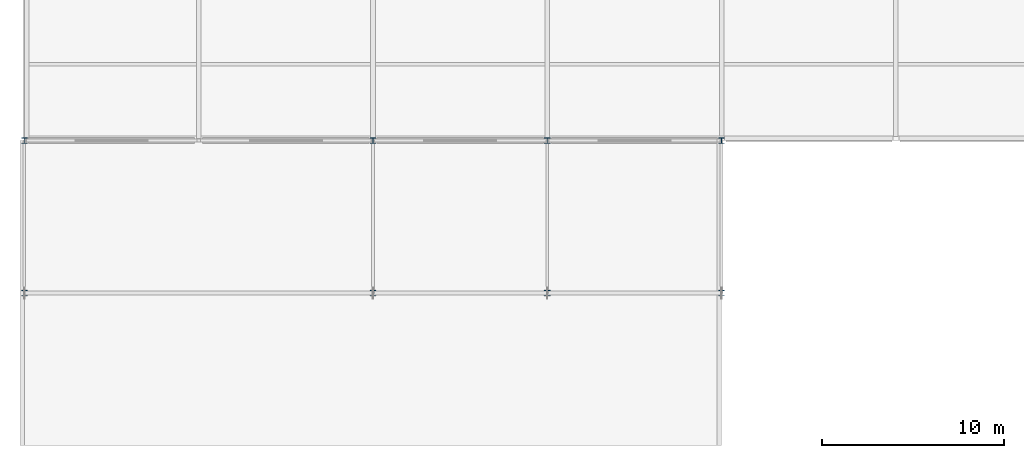
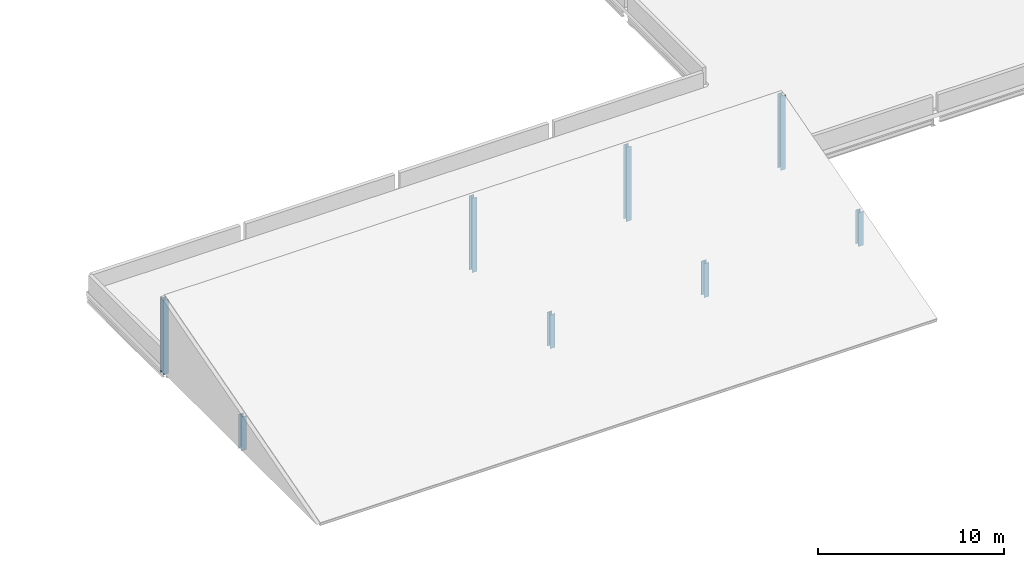
# One storey, part 1 of 52: 8 columns.
"""IFC4 building model written with IfcOpenShell, lengths in metres."""

from ifc_helpers import new_model, si_unit, direction, frame, origin, origin_2d, place, context, subcontext, project, spatial, i_section, extrude, material, material_profile, profile_set, type_object, element, save


model = new_model("IFC4")

# Units and contexts
model_context = context("Model", 3, precision=1e-05, world=origin(), true_north=direction((0.0, 1.0)))
body_context = subcontext(model_context, "Body", "Model", "MODEL_VIEW")
ifc_project = project(units=[si_unit("LENGTHUNIT", "METRE"), si_unit("AREAUNIT", "SQUARE_METRE"), si_unit("VOLUMEUNIT", "CUBIC_METRE"), si_unit("PLANEANGLEUNIT", "RADIAN"), si_unit("MASSUNIT", "GRAM", prefix="KILO")], contexts=[model_context])

# Site, building, storey
site_placement = place(None, origin())
site = spatial("IfcSite", under=ifc_project, at=site_placement, CompositionType="ELEMENT")
building_placement = place(site_placement, origin())
building = spatial("IfcBuilding", under=site, at=building_placement, Name="Lornevale Opera House", CompositionType="ELEMENT")
storey_placement = place(building_placement, frame((0.0, 0.0, 15.0)))
storey = spatial("IfcBuildingStorey", under=building, at=storey_placement, Name="L04", CompositionType="ELEMENT", Elevation=15.0)

# Columns
ifc_material = material(Name="Structural Steel CSA G40.21 Grade 350W (350 MPa)", Category="steel")
ifc_material_profile = material_profile(ifc_material, i_section(OverallWidth=0.30908203125, OverallDepth=0.322998046875, WebThickness=0.013916015625, FlangeThickness=0.02294921875, at=origin_2d()), Name="W310x143")
ifc_profile_set = profile_set([ifc_material_profile], Name="Structural Steel CSA G40.21 Grade 350W (350 MPa)")
column_type = type_object("IfcColumnType", Name="Steel Clerestory Post W310x143", PredefinedType="COLUMN", material=ifc_profile_set)
column_1_placement = place(storey_placement, frame((0.0, 8.39990234375, -0.179931640625), z_axis=(0.0, 0.0, 1.0), x_axis=(1.0, 0.0, 0.0)))
element("IfcColumn", 1, at=column_1_placement, inside=storey, type_object=column_type, Name="Studio Clerestory Post 1150", PredefinedType="COLUMN", context=body_context, shape_type="SweptSolid", body=[
    extrude(i_section(OverallWidth=0.30908203125, OverallDepth=0.322998046875, WebThickness=0.013916015625, FlangeThickness=0.02294921875, at=origin_2d()), origin(), (0.0, 0.0, 1.0), 2.22998046875),
])
column_2_placement = place(storey_placement, frame((0.0, 16.800048828125, -0.27001953125), z_axis=(0.0, 0.0, 1.0), x_axis=(1.0, 0.0, 0.0)))
element("IfcColumn", 2, at=column_2_placement, inside=storey, type_object=column_type, Name="Studio Clerestory Post 1151", PredefinedType="COLUMN", context=body_context, shape_type="SweptSolid", body=[
    extrude(i_section(OverallWidth=0.30908203125, OverallDepth=0.322998046875, WebThickness=0.013916015625, FlangeThickness=0.02294921875, at=origin_2d()), origin(), (0.0, 0.0, 1.0), 4.88720703125),
])
column_3_placement = place(storey_placement, frame((19.199951171875, 8.39990234375, -0.179931640625), z_axis=(0.0, 0.0, 1.0), x_axis=(1.0, 0.0, 0.0)))
element("IfcColumn", 3, at=column_3_placement, inside=storey, type_object=column_type, Name="Studio Clerestory Post 1154", PredefinedType="COLUMN", context=body_context, shape_type="SweptSolid", body=[
    extrude(i_section(OverallWidth=0.30908203125, OverallDepth=0.322998046875, WebThickness=0.013916015625, FlangeThickness=0.02294921875, at=origin_2d()), origin(), (0.0, 0.0, 1.0), 2.22998046875),
])
column_4_placement = place(storey_placement, frame((19.199951171875, 16.800048828125, -0.27001953125), z_axis=(0.0, 0.0, 1.0), x_axis=(1.0, 0.0, 0.0)))
element("IfcColumn", 4, at=column_4_placement, inside=storey, type_object=column_type, Name="Studio Clerestory Post 1155", PredefinedType="COLUMN", context=body_context, shape_type="SweptSolid", body=[
    extrude(i_section(OverallWidth=0.30908203125, OverallDepth=0.322998046875, WebThickness=0.013916015625, FlangeThickness=0.02294921875, at=origin_2d()), origin(), (0.0, 0.0, 1.0), 4.88720703125),
])
column_5_placement = place(storey_placement, frame((28.800048828125, 8.39990234375, -0.179931640625), z_axis=(0.0, 0.0, 1.0), x_axis=(1.0, 0.0, 0.0)))
element("IfcColumn", 5, at=column_5_placement, inside=storey, type_object=column_type, Name="Studio Clerestory Post 1158", PredefinedType="COLUMN", context=body_context, shape_type="SweptSolid", body=[
    extrude(i_section(OverallWidth=0.30908203125, OverallDepth=0.322998046875, WebThickness=0.013916015625, FlangeThickness=0.02294921875, at=origin_2d()), origin(), (0.0, 0.0, 1.0), 2.22998046875),
])
column_6_placement = place(storey_placement, frame((28.800048828125, 16.800048828125, -0.27001953125), z_axis=(0.0, 0.0, 1.0), x_axis=(1.0, 0.0, 0.0)))
element("IfcColumn", 6, at=column_6_placement, inside=storey, type_object=column_type, Name="Studio Clerestory Post 1159", PredefinedType="COLUMN", context=body_context, shape_type="SweptSolid", body=[
    extrude(i_section(OverallWidth=0.30908203125, OverallDepth=0.322998046875, WebThickness=0.013916015625, FlangeThickness=0.02294921875, at=origin_2d()), origin(), (0.0, 0.0, 1.0), 4.88720703125),
])
column_7_placement = place(storey_placement, frame((38.39990234375, 8.39990234375, -0.179931640625), z_axis=(0.0, 0.0, 1.0), x_axis=(1.0, 0.0, 0.0)))
element("IfcColumn", 7, at=column_7_placement, inside=storey, type_object=column_type, Name="Studio Clerestory Post 1162", PredefinedType="COLUMN", context=body_context, shape_type="SweptSolid", body=[
    extrude(i_section(OverallWidth=0.30908203125, OverallDepth=0.322998046875, WebThickness=0.013916015625, FlangeThickness=0.02294921875, at=origin_2d()), origin(), (0.0, 0.0, 1.0), 2.22998046875),
])
column_8_placement = place(storey_placement, frame((38.39990234375, 16.800048828125, -0.27001953125), z_axis=(0.0, 0.0, 1.0), x_axis=(1.0, 0.0, 0.0)))
element("IfcColumn", 8, at=column_8_placement, inside=storey, type_object=column_type, Name="Studio Clerestory Post 1163", PredefinedType="COLUMN", context=body_context, shape_type="SweptSolid", body=[
    extrude(i_section(OverallWidth=0.30908203125, OverallDepth=0.322998046875, WebThickness=0.013916015625, FlangeThickness=0.02294921875, at=origin_2d()), origin(), (0.0, 0.0, 1.0), 4.88720703125),
])

save(model, "model.ifc")
